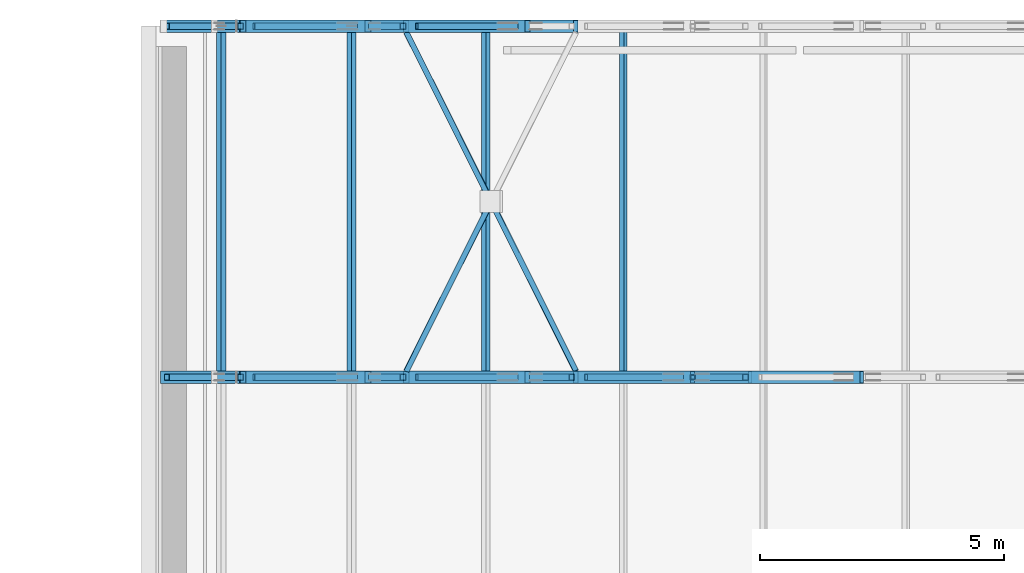
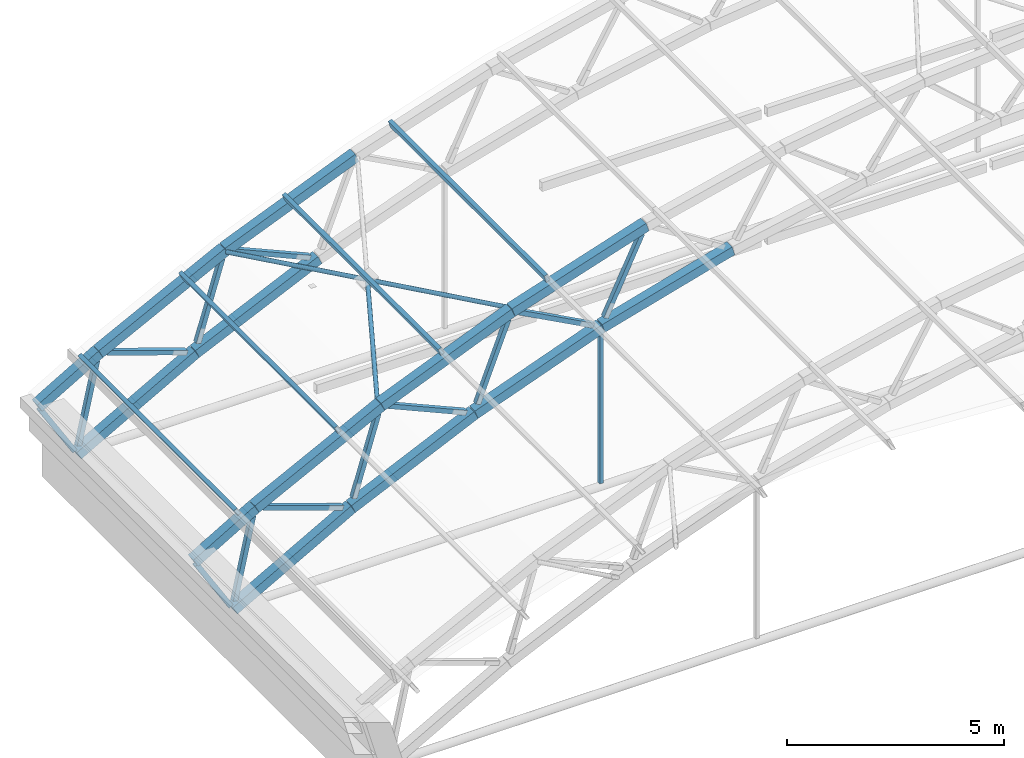
# One storey, part 26 of 127: 33 members.
"""IFC4 building model written with IfcOpenShell, lengths in metres."""

from ifc_helpers import new_model, si_unit, direction, frame, origin, origin_2d, place, context, subcontext, project, spatial, hollow_rectangle, hollow_circle, extrude, material, material_profile, profile_set, type_object, element, save


model = new_model("IFC4")

# Units and contexts
model_context = context("Model", 3, precision=1e-05, world=origin(), true_north=direction((0.0, 1.0)))
body_context = subcontext(model_context, "Body", "Model", "MODEL_VIEW")
ifc_project = project(units=[si_unit("LENGTHUNIT", "METRE"), si_unit("AREAUNIT", "SQUARE_METRE"), si_unit("VOLUMEUNIT", "CUBIC_METRE"), si_unit("PLANEANGLEUNIT", "RADIAN"), si_unit("MASSUNIT", "GRAM", prefix="KILO")], contexts=[model_context])

# Site, building, storey
site_placement = place(None, origin())
site = spatial("IfcSite", under=ifc_project, at=site_placement, CompositionType="ELEMENT")
building_placement = place(site_placement, origin())
building = spatial("IfcBuilding", under=site, at=building_placement, Name="Verrick Yard Athletic Hall", CompositionType="ELEMENT")
storey_placement = place(building_placement, frame((0.0, 0.0, 14.0)))
storey = spatial("IfcBuildingStorey", under=building, at=storey_placement, Name="L03", CompositionType="ELEMENT", Elevation=14.0)

# Members
ifc_material = material(Name="Structural steel HSS Class C 350W (CSA G40.20/G40.21)", Category="steel")
ifc_material_profile_1 = material_profile(ifc_material, hollow_rectangle(XDim=0.25390625, YDim=0.25390625, WallThickness=0.009521484375, at=origin_2d()), Name="HSS254x254x9.5")
ifc_profile_set_1 = profile_set([ifc_material_profile_1], Name="Structural steel HSS Class C 350W (CSA G40.20/G40.21)")
member_type_1 = type_object("IfcMemberType", Name="HB bottom chord HSS254x254x9.5", PredefinedType="CHORD", material=ifc_profile_set_1)
member_1_placement = place(storey_placement, frame((28.0, 100.800048828125, 0.0), z_axis=(0.872881488331, 0.0, 0.4879322774), x_axis=(0.0, 1.0, 0.0)))
element("IfcMember", 1, at=member_1_placement, inside=storey, type_object=member_type_1, Name="Truss TB5 bottom chord 1", PredefinedType="CHORD", context=body_context, shape_type="SweptSolid", body=[
    extrude(hollow_rectangle(XDim=0.25390625, YDim=0.25390625, WallThickness=0.009521484375, at=origin_2d()), origin(), (0.0, 0.0, 1.0), 3.60107421875),
])
member_2_placement = place(storey_placement, frame((31.15234375, 100.800048828125, 1.761474609375), z_axis=(0.908445597889, 0.0, 0.418003104865), x_axis=(0.0, 1.0, 0.0)))
element("IfcMember", 2, at=member_2_placement, inside=storey, type_object=member_type_1, Name="Truss TB5 bottom chord 2", PredefinedType="CHORD", context=body_context, shape_type="SweptSolid", body=[
    extrude(hollow_rectangle(XDim=0.25390625, YDim=0.25390625, WallThickness=0.009521484375, at=origin_2d()), origin(), (0.0, 0.0, 1.0), 3.59619140625),
])
for number, where, z_axis, x_axis, name in (
    (3, (34.42822265625, 100.800048828125, 3.2685546875), (0.938394107905, 0.0, 0.345566922966), (0.0, 1.0, 0.0), "Truss TB5 bottom chord 3"),
    (4, (37.812255859375, 100.800048828125, 4.514404296875), (0.962572378456, 0.0, 0.271024752066), (0.0, 1.0, 0.0), "Truss TB5 bottom chord 4"),
):
    element("IfcMember", number, at=place(storey_placement, frame(where, z_axis=z_axis, x_axis=x_axis)), inside=storey, type_object=member_type_1, Name=name, PredefinedType="CHORD", context=body_context, shape_type="SweptSolid", body=[
        extrude(hollow_rectangle(XDim=0.25390625, YDim=0.25390625, WallThickness=0.009521484375, at=origin_2d()), origin(), (0.0, 0.0, 1.0), 3.595947265625),
    ])
member_3_placement = place(storey_placement, frame((28.0, 108.0, 0.0), z_axis=(0.872881488331, 0.0, 0.4879322774), x_axis=(0.0, 1.0, 0.0)))
element("IfcMember", 5, at=member_3_placement, inside=storey, type_object=member_type_1, Name="Truss TB6 bottom chord 1", PredefinedType="CHORD", context=body_context, shape_type="SweptSolid", body=[
    extrude(hollow_rectangle(XDim=0.25390625, YDim=0.25390625, WallThickness=0.009521484375, at=origin_2d()), origin(), (0.0, 0.0, 1.0), 3.60107421875),
])
member_4_placement = place(storey_placement, frame((31.15234375, 108.0, 1.761474609375), z_axis=(0.908445597889, 0.0, 0.418003104865), x_axis=(0.0, 1.0, 0.0)))
element("IfcMember", 6, at=member_4_placement, inside=storey, type_object=member_type_1, Name="Truss TB6 bottom chord 2", PredefinedType="CHORD", context=body_context, shape_type="SweptSolid", body=[
    extrude(hollow_rectangle(XDim=0.25390625, YDim=0.25390625, WallThickness=0.009521484375, at=origin_2d()), origin(), (0.0, 0.0, 1.0), 3.59619140625),
])
ifc_material_profile_2 = material_profile(ifc_material, hollow_rectangle(XDim=0.1015625, YDim=0.203125, WallThickness=0.009521484375, at=origin_2d()), Name="HSS203x102x9.5")
ifc_profile_set_2 = profile_set([ifc_material_profile_2], Name="Structural steel HSS Class C 350W (CSA G40.20/G40.21)")
member_type_2 = type_object("IfcMemberType", Name="HB purlin HSS203x102x9.5", PredefinedType="PURLIN", material=ifc_profile_set_2)
for number, where, z_axis, x_axis, name in (
    (7, (28.1357421875, 100.800048828125, 2.660888671875), (0.0, 1.0, 0.0), (-0.86316809178, 0.0, -0.504916671673), "HB-PU-B-5-1"),
    (8, (30.81103515625, 100.800048828125, 4.046875), (0.0, 1.0, 0.0), (-0.891352741199, 0.0, -0.453310369126), "HB-PU-B-5-2"),
    (9, (33.56201171875, 100.800048828125, 5.2822265625), (0.0, 1.0, 0.0), (-0.924122791552, 0.0, -0.382095624331), "HB-PU-B-5-3"),
    (10, (36.380859375, 100.800048828125, 6.3544921875), (0.0, 1.0, 0.0), (-0.951213620533, 0.0, -0.308533058379), "HB-PU-B-5-4"),
):
    element("IfcMember", number, at=place(storey_placement, frame(where, z_axis=z_axis, x_axis=x_axis)), inside=storey, type_object=member_type_2, Name=name, PredefinedType="PURLIN", context=body_context, shape_type="SweptSolid", body=[
        extrude(hollow_rectangle(XDim=0.1015625, YDim=0.203125, WallThickness=0.009521484375, at=origin_2d()), origin(), (0.0, 0.0, 1.0), 7.199951171875),
    ])
ifc_material_profile_3 = material_profile(ifc_material, hollow_circle(Radius=0.05712890625, WallThickness=0.00634765625, at=origin_2d()), Name="HSS114x6.4")
ifc_profile_set_3 = profile_set([ifc_material_profile_3], Name="Structural steel HSS Class C 350W (CSA G40.20/G40.21)")
member_type_3 = type_object("IfcMemberType", Name="HB roof brace HSS114x6.4", PredefinedType="BRACE", material=ifc_profile_set_3)
member_5_placement = place(storey_placement, frame((31.934814453125, 100.927001953125, 4.362060546875), z_axis=(0.440175081997, 0.879270525212, 0.182014396913), x_axis=(-0.894207487255, 0.447652733418, 0.0)))
element("IfcMember", 11, at=member_5_placement, inside=storey, type_object=member_type_3, Name="HB-BR-B-5-1b1", PredefinedType="BRACE", context=body_context, shape_type="SweptSolid", body=[
    extrude(hollow_circle(Radius=0.05712890625, WallThickness=0.00634765625, at=origin_2d()), origin(), (0.0, 0.0, 1.0), 3.84423828125),
])
member_6_placement = place(storey_placement, frame((35.412109375, 100.927001953125, 5.7998046875), z_axis=(-0.440177215443, 0.87927276252, -0.181998428824), x_axis=(-0.894207074699, -0.447653557518, 0.0)))
element("IfcMember", 12, at=member_6_placement, inside=storey, type_object=member_type_3, Name="HB-BR-B-5-1a", PredefinedType="BRACE", context=body_context, shape_type="SweptSolid", body=[
    extrude(hollow_circle(Radius=0.05712890625, WallThickness=0.00634765625, at=origin_2d()), origin(), (0.0, 0.0, 1.0), 7.899658203125),
])
ifc_material_profile_4 = material_profile(ifc_material, hollow_rectangle(XDim=0.25390625, YDim=0.25390625, WallThickness=0.009521484375, at=origin_2d()), Name="HSS254x254x9.5")
ifc_profile_set_4 = profile_set([ifc_material_profile_4], Name="Structural steel HSS Class C 350W (CSA G40.20/G40.21)")
member_type_4 = type_object("IfcMemberType", Name="HB top chord HSS254x254x9.5", PredefinedType="CHORD", material=ifc_profile_set_4)
member_7_placement = place(storey_placement, frame((26.95654296875, 100.800048828125, 1.706298828125), z_axis=(0.863174775639, 0.0, 0.504905245269), x_axis=(0.0, 1.0, 0.0)))
element("IfcMember", 13, at=member_7_placement, inside=storey, type_object=member_type_4, Name="Truss TB5 top chord 1", PredefinedType="CHORD", context=body_context, shape_type="SweptSolid", body=[
    extrude(hollow_rectangle(XDim=0.25390625, YDim=0.25390625, WallThickness=0.009521484375, at=origin_2d()), origin(), (0.0, 0.0, 1.0), 1.878173828125),
])
member_8_placement = place(storey_placement, frame((28.584228515625, 100.800048828125, 2.657958984375), z_axis=(0.891336584454, 0.0, 0.453342137037), x_axis=(0.0, 1.0, 0.0)))
element("IfcMember", 14, at=member_8_placement, inside=storey, type_object=member_type_4, Name="Truss TB5 top chord 2", PredefinedType="CHORD", context=body_context, shape_type="SweptSolid", body=[
    extrude(hollow_rectangle(XDim=0.25390625, YDim=0.25390625, WallThickness=0.009521484375, at=origin_2d()), origin(), (0.0, 0.0, 1.0), 3.754150390625),
])
for number, where, z_axis, x_axis, name in (
    (15, (31.939453125, 100.800048828125, 4.364013671875), (0.924130129149, 0.0, 0.382077877402), (0.0, 1.0, 0.0), "Truss TB5 top chord 3"),
    (16, (35.4169921875, 100.800048828125, 5.80126953125), (0.951202693453, 0.0, 0.308566744754), (0.0, 1.0, 0.0), "Truss TB5 top chord 4"),
):
    element("IfcMember", number, at=place(storey_placement, frame(where, z_axis=z_axis, x_axis=x_axis)), inside=storey, type_object=member_type_4, Name=name, PredefinedType="CHORD", context=body_context, shape_type="SweptSolid", body=[
        extrude(hollow_rectangle(XDim=0.25390625, YDim=0.25390625, WallThickness=0.009521484375, at=origin_2d()), origin(), (0.0, 0.0, 1.0), 3.752685546875),
    ])
member_9_placement = place(storey_placement, frame((26.95654296875, 108.0, 1.706298828125), z_axis=(0.863174775639, 0.0, 0.504905245269), x_axis=(0.0, 1.0, 0.0)))
element("IfcMember", 17, at=member_9_placement, inside=storey, type_object=member_type_4, Name="Truss TB6 top chord 1", PredefinedType="CHORD", context=body_context, shape_type="SweptSolid", body=[
    extrude(hollow_rectangle(XDim=0.25390625, YDim=0.25390625, WallThickness=0.009521484375, at=origin_2d()), origin(), (0.0, 0.0, 1.0), 1.878173828125),
])
member_10_placement = place(storey_placement, frame((28.584228515625, 108.0, 2.657958984375), z_axis=(0.891336584454, 0.0, 0.453342137037), x_axis=(0.0, 1.0, 0.0)))
element("IfcMember", 18, at=member_10_placement, inside=storey, type_object=member_type_4, Name="Truss TB6 top chord 2", PredefinedType="CHORD", context=body_context, shape_type="SweptSolid", body=[
    extrude(hollow_rectangle(XDim=0.25390625, YDim=0.25390625, WallThickness=0.009521484375, at=origin_2d()), origin(), (0.0, 0.0, 1.0), 3.754150390625),
])
member_11_placement = place(storey_placement, frame((31.939453125, 108.0, 4.364013671875), z_axis=(0.924130129149, 0.0, 0.382077877402), x_axis=(0.0, 1.0, 0.0)))
element("IfcMember", 19, at=member_11_placement, inside=storey, type_object=member_type_4, Name="Truss TB6 top chord 3", PredefinedType="CHORD", context=body_context, shape_type="SweptSolid", body=[
    extrude(hollow_rectangle(XDim=0.25390625, YDim=0.25390625, WallThickness=0.009521484375, at=origin_2d()), origin(), (0.0, 0.0, 1.0), 3.752685546875),
])
ifc_material_profile_5 = material_profile(ifc_material, hollow_rectangle(XDim=0.126953125, YDim=0.126953125, WallThickness=0.009521484375, at=origin_2d()), Name="HSS127x127x9.5")
ifc_profile_set_5 = profile_set([ifc_material_profile_5], Name="Structural steel HSS Class C 350W (CSA G40.20/G40.21)")
member_type_5 = type_object("IfcMemberType", Name="HB truss end post HSS127x127x9.5", PredefinedType="POST", material=ifc_profile_set_5)
for number, where, z_axis, x_axis, name in (
    (20, (27.932373046875, 100.800048828125, 0.110595703125), (-0.521773101112, 0.0, 0.853084304718), (0.0, -1.0, 0.0), "Truss TB5 end post 1"),
    (21, (27.932373046875, 108.0, 0.110595703125), (-0.521773101112, 0.0, 0.853084304718), (0.0, -1.0, 0.0), "Truss TB6 end post 1"),
):
    element("IfcMember", number, at=place(storey_placement, frame(where, z_axis=z_axis, x_axis=x_axis)), inside=storey, type_object=member_type_5, Name=name, PredefinedType="POST", context=body_context, shape_type="SweptSolid", body=[
        extrude(hollow_rectangle(XDim=0.126953125, YDim=0.126953125, WallThickness=0.009521484375, at=origin_2d()), origin(), (0.0, 0.0, 1.0), 1.741943359375),
    ])
ifc_material_profile_6 = material_profile(ifc_material, hollow_rectangle(XDim=0.1015625, YDim=0.1015625, WallThickness=0.00634765625, at=origin_2d()), Name="HSS102x102x6.4")
ifc_profile_set_6 = profile_set([ifc_material_profile_6], Name="Structural steel HSS Class C 350W (CSA G40.20/G40.21)")
member_type_6 = type_object("IfcMemberType", Name="HB truss hanger HSS102x102x6.4", PredefinedType="MEMBER", material=ifc_profile_set_6)
member_12_placement = place(storey_placement, frame((37.807373046875, 100.800048828125, 4.35888671875), z_axis=(0.0, 0.0, -1.0), x_axis=(0.0, -1.0, 0.0)))
element("IfcMember", 22, at=member_12_placement, inside=storey, type_object=member_type_6, Name="Truss TB5 hanger 1", PredefinedType="MEMBER", context=body_context, shape_type="SweptSolid", body=[
    extrude(hollow_rectangle(XDim=0.1015625, YDim=0.1015625, WallThickness=0.00634765625, at=origin_2d()), origin(), (0.0, 0.0, 1.0), 4.249267578125),
])
ifc_material_profile_7 = material_profile(ifc_material, hollow_rectangle(XDim=0.126953125, YDim=0.126953125, WallThickness=0.009521484375, at=origin_2d()), Name="HSS127x127x9.5")
ifc_profile_set_7 = profile_set([ifc_material_profile_7], Name="Structural steel HSS Class C 350W (CSA G40.20/G40.21)")
member_type_7 = type_object("IfcMemberType", Name="HB truss web HSS127x127x9.5", PredefinedType="BRACE", material=ifc_profile_set_7)
member_13_placement = place(storey_placement, frame((28.04833984375, 100.800048828125, 0.220703125), z_axis=(0.213603528569, 0.0, 0.976920433087), x_axis=(0.0, 1.0, 0.0)))
element("IfcMember", 23, at=member_13_placement, inside=storey, type_object=member_type_7, Name="Truss end diagonal TB5-1", PredefinedType="BRACE", context=body_context, shape_type="SweptSolid", body=[
    extrude(hollow_rectangle(XDim=0.126953125, YDim=0.126953125, WallThickness=0.009521484375, at=origin_2d()), origin(), (0.0, 0.0, 1.0), 2.261962890625),
])
member_14_placement = place(storey_placement, frame((28.804443359375, 100.800048828125, 2.578369140625), z_axis=(0.944015035532, 0.0, -0.329902429045), x_axis=(0.0, 1.0, 0.0)))
element("IfcMember", 24, at=member_14_placement, inside=storey, type_object=member_type_7, Name="Truss TB5 web 2", PredefinedType="BRACE", context=body_context, shape_type="SweptSolid", body=[
    extrude(hollow_rectangle(XDim=0.126953125, YDim=0.126953125, WallThickness=0.009521484375, at=origin_2d()), origin(), (0.0, 0.0, 1.0), 2.2333984375),
])
for number, where, z_axis, x_axis, name in (
    (25, (31.2197265625, 100.800048828125, 1.99755859375), (0.289443070658, 0.0, 0.957195230268), (0.0, 1.0, 0.0), "Truss TB5 web 3"),
    (26, (32.151611328125, 100.800048828125, 4.2666015625), (0.915297302882, 0.0, -0.402778906272), (0.0, 1.0, 0.0), "Truss TB5 web 4"),
    (27, (34.513916015625, 100.800048828125, 3.49853515625), (0.363632709383, 0.0, 0.93154240519), (0.0, 1.0, 0.0), "Truss TB5 web 5"),
    (28, (35.620849609375, 100.800048828125, 5.687744140625), (0.880902446091, 0.0, -0.473297877103), (0.0, 1.0, 0.0), "Truss TB5 web 6"),
    (29, (37.915771484375, 100.800048828125, 4.73681640625), (0.435458074734, 0.0, 0.900209011924), (0.0, 1.0, 0.0), "Truss TB5 web 7"),
):
    element("IfcMember", number, at=place(storey_placement, frame(where, z_axis=z_axis, x_axis=x_axis)), inside=storey, type_object=member_type_7, Name=name, PredefinedType="BRACE", context=body_context, shape_type="SweptSolid", body=[
        extrude(hollow_rectangle(XDim=0.126953125, YDim=0.126953125, WallThickness=0.009521484375, at=origin_2d()), origin(), (0.0, 0.0, 1.0), 2.233642578125),
    ])
member_15_placement = place(storey_placement, frame((28.04833984375, 108.0, 0.220703125), z_axis=(0.213603528569, 0.0, 0.976920433087), x_axis=(0.0, 1.0, 0.0)))
element("IfcMember", 30, at=member_15_placement, inside=storey, type_object=member_type_7, Name="Truss end diagonal TB6-1", PredefinedType="BRACE", context=body_context, shape_type="SweptSolid", body=[
    extrude(hollow_rectangle(XDim=0.126953125, YDim=0.126953125, WallThickness=0.009521484375, at=origin_2d()), origin(), (0.0, 0.0, 1.0), 2.261962890625),
])
member_16_placement = place(storey_placement, frame((28.804443359375, 108.0, 2.578369140625), z_axis=(0.944015035532, 0.0, -0.329902429045), x_axis=(0.0, 1.0, 0.0)))
element("IfcMember", 31, at=member_16_placement, inside=storey, type_object=member_type_7, Name="Truss TB6 web 2", PredefinedType="BRACE", context=body_context, shape_type="SweptSolid", body=[
    extrude(hollow_rectangle(XDim=0.126953125, YDim=0.126953125, WallThickness=0.009521484375, at=origin_2d()), origin(), (0.0, 0.0, 1.0), 2.2333984375),
])
for number, where, z_axis, x_axis, name in (
    (32, (31.2197265625, 108.0, 1.99755859375), (0.289443070658, 0.0, 0.957195230268), (0.0, 1.0, 0.0), "Truss TB6 web 3"),
    (33, (32.151611328125, 108.0, 4.2666015625), (0.915297302882, 0.0, -0.402778906272), (0.0, 1.0, 0.0), "Truss TB6 web 4"),
):
    element("IfcMember", number, at=place(storey_placement, frame(where, z_axis=z_axis, x_axis=x_axis)), inside=storey, type_object=member_type_7, Name=name, PredefinedType="BRACE", context=body_context, shape_type="SweptSolid", body=[
        extrude(hollow_rectangle(XDim=0.126953125, YDim=0.126953125, WallThickness=0.009521484375, at=origin_2d()), origin(), (0.0, 0.0, 1.0), 2.233642578125),
    ])

save(model, "model.ifc")
